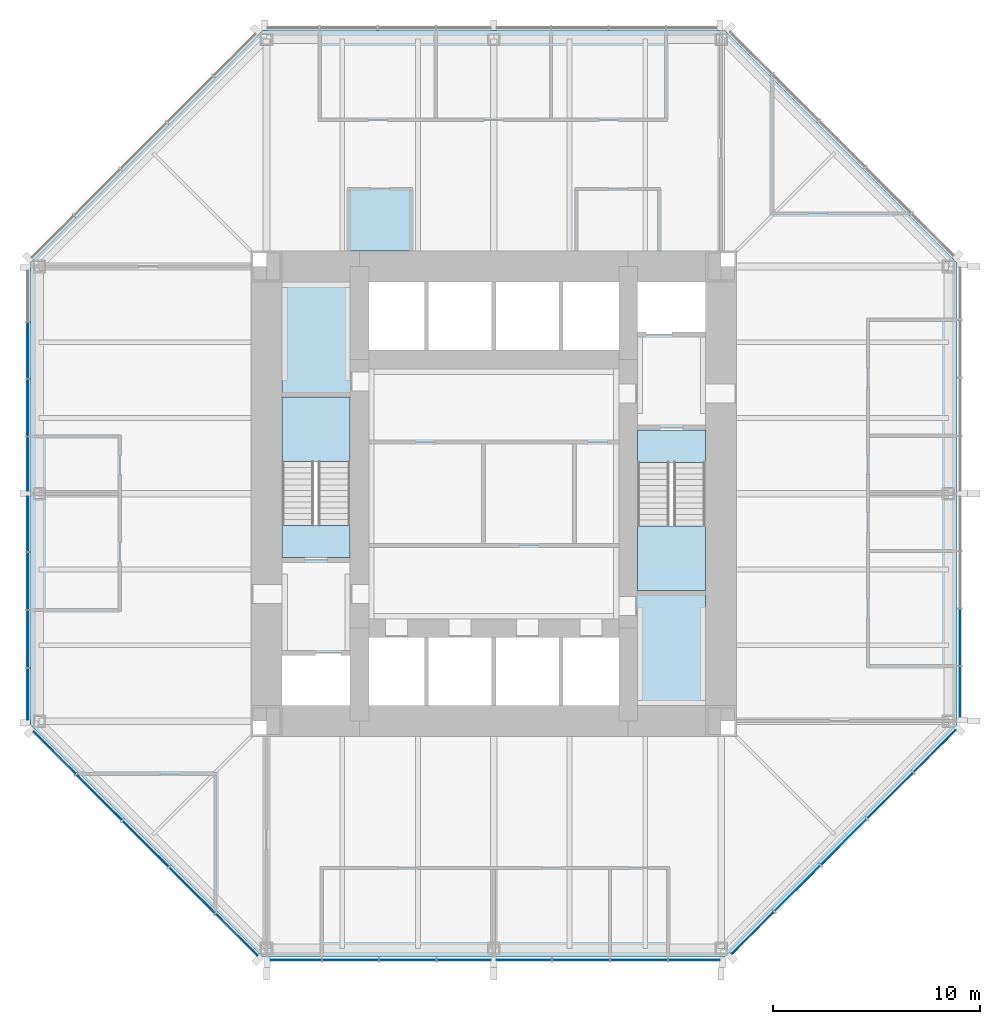
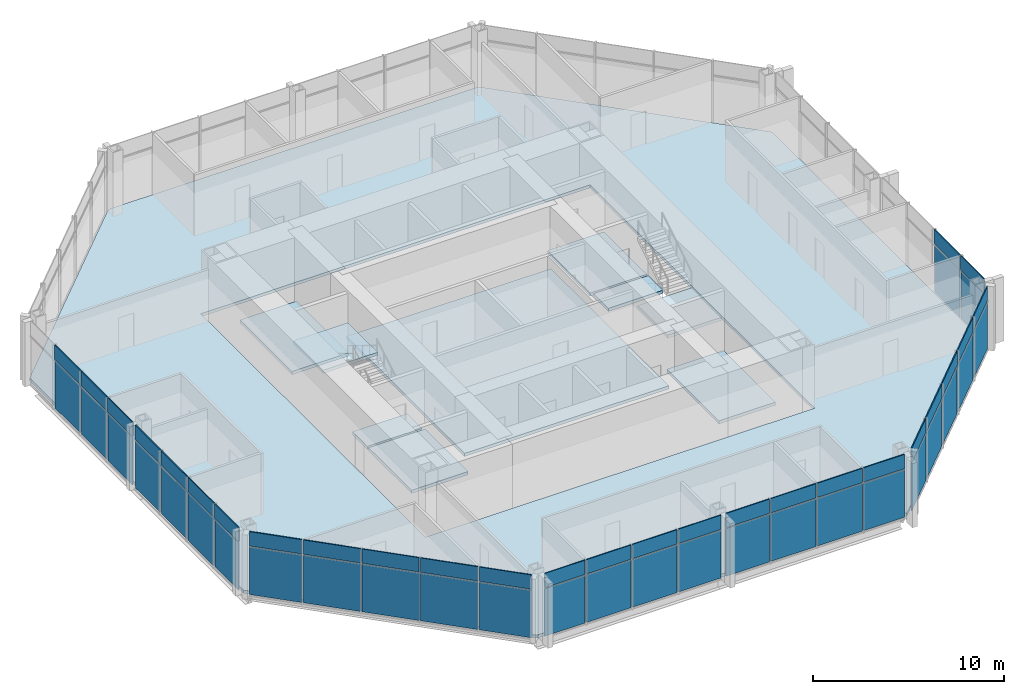
# One storey, part 7 of 12: 54 plates, 10 slabs, 7 elements without a shape of their own.
"""IFC4 building model written with IfcOpenShell, lengths in metres."""

from ifc_helpers import new_model, si_unit, direction, frame, origin, origin_2d, place, context, subcontext, project, spatial, polyline, rectangle, outline, extrude, material, layer, layer_set, type_object, element, aggregate, save


model = new_model("IFC4")

# Units and contexts
model_context = context("Model", 3, precision=1e-05, world=origin(), true_north=direction((0.0, 1.0)))
body_context = subcontext(model_context, "Body", "Model", "MODEL_VIEW")
ifc_project = project(units=[si_unit("LENGTHUNIT", "METRE"), si_unit("AREAUNIT", "SQUARE_METRE"), si_unit("VOLUMEUNIT", "CUBIC_METRE"), si_unit("PLANEANGLEUNIT", "RADIAN"), si_unit("MASSUNIT", "GRAM", prefix="KILO")], contexts=[model_context])

# Site, building, storey
site_placement = place(None, origin())
site = spatial("IfcSite", under=ifc_project, at=site_placement, CompositionType="ELEMENT")
building_placement = place(site_placement, origin())
building = spatial("IfcBuilding", under=site, at=building_placement, Name="Trevanion Tower", CompositionType="ELEMENT")
storey_placement = place(building_placement, frame((0.0, 0.0, 154.10009765625)))
storey = spatial("IfcBuildingStorey", under=building, at=storey_placement, Name="L36", CompositionType="ELEMENT", Elevation=154.10009765625)

# Curtain wall, plates
ifc_material_1 = material(Name="Aluminium and glass", Category="aluminium")
curtain_wall_type = type_object("IfcCurtainWallType", Name="CW2 curtain wall", PredefinedType="USERDEFINED", material=ifc_material_1)
curtain_wall_1_placement = place(storey_placement, origin())
curtain_wall_1 = element("IfcCurtainWall", 1, at=curtain_wall_1_placement, inside=storey, type_object=curtain_wall_type, Name="CW2 L36 0", ObjectType="UNITISED CURTAIN WALL", PredefinedType="USERDEFINED")
ifc_material_2 = material(Name="Aluminium spandrel panel", Category="aluminium")
ifc_layer_1 = layer(ifc_material_2, 0.06005859375)
ifc_layer_set_1 = layer_set([ifc_layer_1], Name="CW2 spandrel panel")
plate_type_1 = type_object("IfcPlateType", Name="CW2 spandrel panel", PredefinedType="CURTAIN_PANEL", material=ifc_layer_set_1)
plate_1_placement = place(storey_placement, frame((22.550048828125, -9.579345703125, 2.997314453125), z_axis=(0.0, 0.0, 1.0), x_axis=(0.0, 1.0, 0.0)))
plate_1 = element("IfcPlate", 2, at=plate_1_placement, type_object=plate_type_1, Name="CW2 panel 1.2", PredefinedType="CURTAIN_PANEL", context=body_context, shape_type="SweptSolid", body=[
    extrude(rectangle(XDim=2.43701171875, YDim=0.06005859375, at=origin_2d()), origin(), (0.0, 0.0, 1.0), 0.91259765625),
])
plate_2_placement = place(storey_placement, frame((22.550048828125, -6.93603515625, 2.997314453125), z_axis=(0.0, 0.0, 1.0), x_axis=(0.0, 1.0, 0.0)))
plate_2 = element("IfcPlate", 3, at=plate_2_placement, type_object=plate_type_1, Name="CW2 panel 2.2", PredefinedType="CURTAIN_PANEL", context=body_context, shape_type="SweptSolid", body=[
    extrude(rectangle(XDim=2.699462890625, YDim=0.06005859375, at=origin_2d()), origin(), (0.0, 0.0, 1.0), 0.91259765625),
])

curtain_wall_2_placement = place(storey_placement, origin())
curtain_wall_2 = element("IfcCurtainWall", 4, at=curtain_wall_2_placement, inside=storey, type_object=curtain_wall_type, Name="CW2 L36 4", ObjectType="UNITISED CURTAIN WALL", PredefinedType="USERDEFINED")
plate_3_placement = place(storey_placement, frame((-22.550048828125, 6.93603515625, 2.997314453125), z_axis=(0.0, 0.0, 1.0), x_axis=(0.0, -1.0, 0.0)))
plate_3 = element("IfcPlate", 5, at=plate_3_placement, type_object=plate_type_1, Name="CW2 panel 2.2", PredefinedType="CURTAIN_PANEL", context=body_context, shape_type="SweptSolid", body=[
    extrude(rectangle(XDim=2.699462890625, YDim=0.06005859375, at=origin_2d()), origin(), (0.0, 0.0, 1.0), 0.91259765625),
])
plate_4_placement = place(storey_placement, frame((-22.550048828125, 4.16162109375, 2.997314453125), z_axis=(0.0, 0.0, 1.0), x_axis=(0.0, -1.0, 0.0)))
plate_4 = element("IfcPlate", 6, at=plate_4_placement, type_object=plate_type_1, Name="CW2 panel 3.2", PredefinedType="CURTAIN_PANEL", context=body_context, shape_type="SweptSolid", body=[
    extrude(rectangle(XDim=2.699462890625, YDim=0.06005859375, at=origin_2d()), origin(), (0.0, 0.0, 1.0), 0.91259765625),
])
plate_5_placement = place(storey_placement, frame((-22.550048828125, 1.443603515625, 2.997314453125), z_axis=(0.0, 0.0, 1.0), x_axis=(0.0, -1.0, 0.0)))
plate_5 = element("IfcPlate", 7, at=plate_5_placement, type_object=plate_type_1, Name="CW2 panel 4.2", PredefinedType="CURTAIN_PANEL", context=body_context, shape_type="SweptSolid", body=[
    extrude(rectangle(XDim=2.5869140625, YDim=0.06005859375, at=origin_2d()), origin(), (0.0, 0.0, 1.0), 0.91259765625),
])
plate_6_placement = place(storey_placement, frame((-22.550048828125, -1.459716796875, 2.997314453125), z_axis=(0.0, 0.0, 1.0), x_axis=(0.0, -1.0, 0.0)))
plate_6 = element("IfcPlate", 8, at=plate_6_placement, type_object=plate_type_1, Name="CW2 panel 5.2", PredefinedType="CURTAIN_PANEL", context=body_context, shape_type="SweptSolid", body=[
    extrude(rectangle(XDim=2.619384765625, YDim=0.06005859375, at=origin_2d()), origin(), (0.0, 0.0, 1.0), 0.91259765625),
])
plate_7_placement = place(storey_placement, frame((-22.550048828125, -4.21044921875, 2.997314453125), z_axis=(0.0, 0.0, 1.0), x_axis=(0.0, -1.0, 0.0)))
plate_7 = element("IfcPlate", 9, at=plate_7_placement, type_object=plate_type_1, Name="CW2 panel 6.2", PredefinedType="CURTAIN_PANEL", context=body_context, shape_type="SweptSolid", body=[
    extrude(rectangle(XDim=2.73193359375, YDim=0.06005859375, at=origin_2d()), origin(), (0.0, 0.0, 1.0), 0.91259765625),
])
plate_8_placement = place(storey_placement, frame((-22.550048828125, -7.017333984375, 2.997314453125), z_axis=(0.0, 0.0, 1.0), x_axis=(0.0, -1.0, 0.0)))
plate_8 = element("IfcPlate", 10, at=plate_8_placement, type_object=plate_type_1, Name="CW2 panel 7.2", PredefinedType="CURTAIN_PANEL", context=body_context, shape_type="SweptSolid", body=[
    extrude(rectangle(XDim=2.73193359375, YDim=0.06005859375, at=origin_2d()), origin(), (0.0, 0.0, 1.0), 0.91259765625),
])
plate_9_placement = place(storey_placement, frame((-22.550048828125, -9.693115234375, 2.997314453125), z_axis=(0.0, 0.0, 1.0), x_axis=(0.0, -1.0, 0.0)))
plate_9 = element("IfcPlate", 11, at=plate_9_placement, type_object=plate_type_1, Name="CW2 panel 8.2", PredefinedType="CURTAIN_PANEL", context=body_context, shape_type="SweptSolid", body=[
    extrude(rectangle(XDim=2.469482421875, YDim=0.06005859375, at=origin_2d()), origin(), (0.0, 0.0, 1.0), 0.91259765625),
])

curtain_wall_3_placement = place(storey_placement, origin())
curtain_wall_3 = element("IfcCurtainWall", 12, at=curtain_wall_3_placement, inside=storey, type_object=curtain_wall_type, Name="CW2 L36 5", ObjectType="UNITISED CURTAIN WALL", PredefinedType="USERDEFINED")
plate_10_placement = place(storey_placement, frame((-21.2421875, -12.53564453125, 2.997314453125), z_axis=(0.0, 0.0, 1.0), x_axis=(0.707106781187, -0.707106781187, 0.0)))
plate_10 = element("IfcPlate", 13, at=plate_10_placement, type_object=plate_type_1, Name="CW2 panel 1.2", PredefinedType="CURTAIN_PANEL", context=body_context, shape_type="SweptSolid", body=[
    extrude(rectangle(XDim=2.8388671875, YDim=0.06005859375, at=origin_2d()), origin(), (0.0, 0.0, 1.0), 0.91259765625),
])
plate_11_placement = place(storey_placement, frame((-19.089111328125, -14.688720703125, 2.997314453125), z_axis=(0.0, 0.0, 1.0), x_axis=(0.707106781187, -0.707106781187, 0.0)))
plate_11 = element("IfcPlate", 14, at=plate_11_placement, type_object=plate_type_1, Name="CW2 panel 2.2", PredefinedType="CURTAIN_PANEL", context=body_context, shape_type="SweptSolid", body=[
    extrude(rectangle(XDim=3.101318359375, YDim=0.06005859375, at=origin_2d()), origin(), (0.0, 0.0, 1.0), 0.91259765625),
])
plate_12_placement = place(storey_placement, frame((-16.843017578125, -16.934814453125, 2.997314453125), z_axis=(0.0, 0.0, 1.0), x_axis=(0.707106781187, -0.707106781187, 0.0)))
plate_12 = element("IfcPlate", 15, at=plate_12_placement, type_object=plate_type_1, Name="CW2 panel 3.2", PredefinedType="CURTAIN_PANEL", context=body_context, shape_type="SweptSolid", body=[
    extrude(rectangle(XDim=3.101318359375, YDim=0.06005859375, at=origin_2d()), origin(), (0.0, 0.0, 1.0), 0.91259765625),
])
plate_13_placement = place(storey_placement, frame((-14.596923828125, -19.180908203125, 2.997314453125), z_axis=(0.0, 0.0, 1.0), x_axis=(0.707106781187, -0.707106781187, 0.0)))
plate_13 = element("IfcPlate", 16, at=plate_13_placement, type_object=plate_type_1, Name="CW2 panel 4.2", PredefinedType="CURTAIN_PANEL", context=body_context, shape_type="SweptSolid", body=[
    extrude(rectangle(XDim=3.101318359375, YDim=0.06005859375, at=origin_2d()), origin(), (0.0, 0.0, 1.0), 0.91259765625),
])
plate_14_placement = place(storey_placement, frame((-12.443603515625, -21.334228515625, 2.997314453125), z_axis=(0.0, 0.0, 1.0), x_axis=(0.707106781187, -0.707106781187, 0.0)))
plate_14 = element("IfcPlate", 17, at=plate_14_placement, type_object=plate_type_1, Name="CW2 panel 5.2", PredefinedType="CURTAIN_PANEL", context=body_context, shape_type="SweptSolid", body=[
    extrude(rectangle(XDim=2.8388671875, YDim=0.06005859375, at=origin_2d()), origin(), (0.0, 0.0, 1.0), 0.91259765625),
])

curtain_wall_4_placement = place(storey_placement, origin())
curtain_wall_4 = element("IfcCurtainWall", 18, at=curtain_wall_4_placement, inside=storey, type_object=curtain_wall_type, Name="CW2 L36 6", ObjectType="UNITISED CURTAIN WALL", PredefinedType="USERDEFINED")
plate_15_placement = place(storey_placement, frame((-9.579345703125, -22.550048828125, 2.997314453125), z_axis=(0.0, 0.0, 1.0), x_axis=(1.0, 0.0, 0.0)))
plate_15 = element("IfcPlate", 19, at=plate_15_placement, type_object=plate_type_1, Name="CW2 panel 1.2", PredefinedType="CURTAIN_PANEL", context=body_context, shape_type="SweptSolid", body=[
    extrude(rectangle(XDim=2.43701171875, YDim=0.06005859375, at=origin_2d()), origin(), (0.0, 0.0, 1.0), 0.91259765625),
])
plate_16_placement = place(storey_placement, frame((-6.93603515625, -22.550048828125, 2.997314453125), z_axis=(0.0, 0.0, 1.0), x_axis=(1.0, 0.0, 0.0)))
plate_16 = element("IfcPlate", 20, at=plate_16_placement, type_object=plate_type_1, Name="CW2 panel 2.2", PredefinedType="CURTAIN_PANEL", context=body_context, shape_type="SweptSolid", body=[
    extrude(rectangle(XDim=2.699462890625, YDim=0.06005859375, at=origin_2d()), origin(), (0.0, 0.0, 1.0), 0.91259765625),
])
plate_17_placement = place(storey_placement, frame((-4.16162109375, -22.550048828125, 2.997314453125), z_axis=(0.0, 0.0, 1.0), x_axis=(1.0, 0.0, 0.0)))
plate_17 = element("IfcPlate", 21, at=plate_17_placement, type_object=plate_type_1, Name="CW2 panel 3.2", PredefinedType="CURTAIN_PANEL", context=body_context, shape_type="SweptSolid", body=[
    extrude(rectangle(XDim=2.699462890625, YDim=0.06005859375, at=origin_2d()), origin(), (0.0, 0.0, 1.0), 0.91259765625),
])
plate_18_placement = place(storey_placement, frame((-1.443603515625, -22.550048828125, 2.997314453125), z_axis=(0.0, 0.0, 1.0), x_axis=(1.0, 0.0, 0.0)))
plate_18 = element("IfcPlate", 22, at=plate_18_placement, type_object=plate_type_1, Name="CW2 panel 4.2", PredefinedType="CURTAIN_PANEL", context=body_context, shape_type="SweptSolid", body=[
    extrude(rectangle(XDim=2.5869140625, YDim=0.06005859375, at=origin_2d()), origin(), (0.0, 0.0, 1.0), 0.91259765625),
])
plate_19_placement = place(storey_placement, frame((1.459716796875, -22.550048828125, 2.997314453125), z_axis=(0.0, 0.0, 1.0), x_axis=(1.0, 0.0, 0.0)))
plate_19 = element("IfcPlate", 23, at=plate_19_placement, type_object=plate_type_1, Name="CW2 panel 5.2", PredefinedType="CURTAIN_PANEL", context=body_context, shape_type="SweptSolid", body=[
    extrude(rectangle(XDim=2.619384765625, YDim=0.06005859375, at=origin_2d()), origin(), (0.0, 0.0, 1.0), 0.91259765625),
])
plate_20_placement = place(storey_placement, frame((4.21044921875, -22.550048828125, 2.997314453125), z_axis=(0.0, 0.0, 1.0), x_axis=(1.0, 0.0, 0.0)))
plate_20 = element("IfcPlate", 24, at=plate_20_placement, type_object=plate_type_1, Name="CW2 panel 6.2", PredefinedType="CURTAIN_PANEL", context=body_context, shape_type="SweptSolid", body=[
    extrude(rectangle(XDim=2.73193359375, YDim=0.06005859375, at=origin_2d()), origin(), (0.0, 0.0, 1.0), 0.91259765625),
])
plate_21_placement = place(storey_placement, frame((7.017333984375, -22.550048828125, 2.997314453125), z_axis=(0.0, 0.0, 1.0), x_axis=(1.0, 0.0, 0.0)))
plate_21 = element("IfcPlate", 25, at=plate_21_placement, type_object=plate_type_1, Name="CW2 panel 7.2", PredefinedType="CURTAIN_PANEL", context=body_context, shape_type="SweptSolid", body=[
    extrude(rectangle(XDim=2.73193359375, YDim=0.06005859375, at=origin_2d()), origin(), (0.0, 0.0, 1.0), 0.91259765625),
])
plate_22_placement = place(storey_placement, frame((9.693115234375, -22.550048828125, 2.997314453125), z_axis=(0.0, 0.0, 1.0), x_axis=(1.0, 0.0, 0.0)))
plate_22 = element("IfcPlate", 26, at=plate_22_placement, type_object=plate_type_1, Name="CW2 panel 8.2", PredefinedType="CURTAIN_PANEL", context=body_context, shape_type="SweptSolid", body=[
    extrude(rectangle(XDim=2.469482421875, YDim=0.06005859375, at=origin_2d()), origin(), (0.0, 0.0, 1.0), 0.91259765625),
])

curtain_wall_5_placement = place(storey_placement, origin())
curtain_wall_5 = element("IfcCurtainWall", 27, at=curtain_wall_5_placement, inside=storey, type_object=curtain_wall_type, Name="CW2 L36 7", ObjectType="UNITISED CURTAIN WALL", PredefinedType="USERDEFINED")
plate_23_placement = place(storey_placement, frame((12.53564453125, -21.2421875, 2.997314453125), z_axis=(0.0, 0.0, 1.0), x_axis=(0.707106781187, 0.707106781187, 0.0)))
plate_23 = element("IfcPlate", 28, at=plate_23_placement, type_object=plate_type_1, Name="CW2 panel 1.2", PredefinedType="CURTAIN_PANEL", context=body_context, shape_type="SweptSolid", body=[
    extrude(rectangle(XDim=2.8388671875, YDim=0.06005859375, at=origin_2d()), origin(), (0.0, 0.0, 1.0), 0.91259765625),
])
plate_24_placement = place(storey_placement, frame((14.688720703125, -19.089111328125, 2.997314453125), z_axis=(0.0, 0.0, 1.0), x_axis=(0.707106781187, 0.707106781187, 0.0)))
plate_24 = element("IfcPlate", 29, at=plate_24_placement, type_object=plate_type_1, Name="CW2 panel 2.2", PredefinedType="CURTAIN_PANEL", context=body_context, shape_type="SweptSolid", body=[
    extrude(rectangle(XDim=3.101318359375, YDim=0.06005859375, at=origin_2d()), origin(), (0.0, 0.0, 1.0), 0.91259765625),
])
plate_25_placement = place(storey_placement, frame((16.934814453125, -16.843017578125, 2.997314453125), z_axis=(0.0, 0.0, 1.0), x_axis=(0.707106781187, 0.707106781187, 0.0)))
plate_25 = element("IfcPlate", 30, at=plate_25_placement, type_object=plate_type_1, Name="CW2 panel 3.2", PredefinedType="CURTAIN_PANEL", context=body_context, shape_type="SweptSolid", body=[
    extrude(rectangle(XDim=3.101318359375, YDim=0.06005859375, at=origin_2d()), origin(), (0.0, 0.0, 1.0), 0.91259765625),
])
plate_26_placement = place(storey_placement, frame((19.180908203125, -14.596923828125, 2.997314453125), z_axis=(0.0, 0.0, 1.0), x_axis=(0.707106781187, 0.707106781187, 0.0)))
plate_26 = element("IfcPlate", 31, at=plate_26_placement, type_object=plate_type_1, Name="CW2 panel 4.2", PredefinedType="CURTAIN_PANEL", context=body_context, shape_type="SweptSolid", body=[
    extrude(rectangle(XDim=3.101318359375, YDim=0.06005859375, at=origin_2d()), origin(), (0.0, 0.0, 1.0), 0.91259765625),
])
plate_27_placement = place(storey_placement, frame((21.334228515625, -12.443603515625, 2.997314453125), z_axis=(0.0, 0.0, 1.0), x_axis=(0.707106781187, 0.707106781187, 0.0)))
plate_27 = element("IfcPlate", 32, at=plate_27_placement, type_object=plate_type_1, Name="CW2 panel 5.2", PredefinedType="CURTAIN_PANEL", context=body_context, shape_type="SweptSolid", body=[
    extrude(rectangle(XDim=2.8388671875, YDim=0.06005859375, at=origin_2d()), origin(), (0.0, 0.0, 1.0), 0.91259765625),
])

# Plate
ifc_material_3 = material(Name="Insulating glass unit", Category="glass")
ifc_layer_2 = layer(ifc_material_3, 0.028076171875)
ifc_layer_set_2 = layer_set([ifc_layer_2], Name="CW2 vision panel")
plate_type_2 = type_object("IfcPlateType", Name="CW2 vision panel", PredefinedType="CURTAIN_PANEL", material=ifc_layer_set_2)
plate_28_placement = place(storey_placement, frame((22.550048828125, -9.579345703125, -0.115234375), z_axis=(0.0, 0.0, 1.0), x_axis=(0.0, 1.0, 0.0)))
plate_28 = element("IfcPlate", 33, at=plate_28_placement, type_object=plate_type_2, Name="CW2 panel 1.1", PredefinedType="CURTAIN_PANEL", context=body_context, shape_type="SweptSolid", body=[
    extrude(rectangle(XDim=2.43701171875, YDim=0.028076171875, at=origin_2d()), origin(), (0.0, 0.0, 1.0), 3.03759765625),
])

plate_29_placement = place(storey_placement, frame((22.550048828125, -6.93603515625, -0.115234375), z_axis=(0.0, 0.0, 1.0), x_axis=(0.0, 1.0, 0.0)))
plate_29 = element("IfcPlate", 34, at=plate_29_placement, type_object=plate_type_2, Name="CW2 panel 2.1", PredefinedType="CURTAIN_PANEL", context=body_context, shape_type="SweptSolid", body=[
    extrude(rectangle(XDim=2.699462890625, YDim=0.028076171875, at=origin_2d()), origin(), (0.0, 0.0, 1.0), 3.03759765625),
])

aggregate(curtain_wall_1, [plate_28, plate_1, plate_29, plate_2])

plate_30_placement = place(storey_placement, frame((-22.550048828125, 6.93603515625, -0.115234375), z_axis=(0.0, 0.0, 1.0), x_axis=(0.0, -1.0, 0.0)))
plate_30 = element("IfcPlate", 35, at=plate_30_placement, type_object=plate_type_2, Name="CW2 panel 2.1", PredefinedType="CURTAIN_PANEL", context=body_context, shape_type="SweptSolid", body=[
    extrude(rectangle(XDim=2.699462890625, YDim=0.028076171875, at=origin_2d()), origin(), (0.0, 0.0, 1.0), 3.03759765625),
])

plate_31_placement = place(storey_placement, frame((-22.550048828125, 4.16162109375, -0.115234375), z_axis=(0.0, 0.0, 1.0), x_axis=(0.0, -1.0, 0.0)))
plate_31 = element("IfcPlate", 36, at=plate_31_placement, type_object=plate_type_2, Name="CW2 panel 3.1", PredefinedType="CURTAIN_PANEL", context=body_context, shape_type="SweptSolid", body=[
    extrude(rectangle(XDim=2.699462890625, YDim=0.028076171875, at=origin_2d()), origin(), (0.0, 0.0, 1.0), 3.03759765625),
])

plate_32_placement = place(storey_placement, frame((-22.550048828125, 1.443603515625, -0.115234375), z_axis=(0.0, 0.0, 1.0), x_axis=(0.0, -1.0, 0.0)))
plate_32 = element("IfcPlate", 37, at=plate_32_placement, type_object=plate_type_2, Name="CW2 panel 4.1", PredefinedType="CURTAIN_PANEL", context=body_context, shape_type="SweptSolid", body=[
    extrude(rectangle(XDim=2.5869140625, YDim=0.028076171875, at=origin_2d()), origin(), (0.0, 0.0, 1.0), 3.03759765625),
])

plate_33_placement = place(storey_placement, frame((-22.550048828125, -1.459716796875, -0.115234375), z_axis=(0.0, 0.0, 1.0), x_axis=(0.0, -1.0, 0.0)))
plate_33 = element("IfcPlate", 38, at=plate_33_placement, type_object=plate_type_2, Name="CW2 panel 5.1", PredefinedType="CURTAIN_PANEL", context=body_context, shape_type="SweptSolid", body=[
    extrude(rectangle(XDim=2.619384765625, YDim=0.028076171875, at=origin_2d()), origin(), (0.0, 0.0, 1.0), 3.03759765625),
])

plate_34_placement = place(storey_placement, frame((-22.550048828125, -4.21044921875, -0.115234375), z_axis=(0.0, 0.0, 1.0), x_axis=(0.0, -1.0, 0.0)))
plate_34 = element("IfcPlate", 39, at=plate_34_placement, type_object=plate_type_2, Name="CW2 panel 6.1", PredefinedType="CURTAIN_PANEL", context=body_context, shape_type="SweptSolid", body=[
    extrude(rectangle(XDim=2.73193359375, YDim=0.028076171875, at=origin_2d()), origin(), (0.0, 0.0, 1.0), 3.03759765625),
])

plate_35_placement = place(storey_placement, frame((-22.550048828125, -7.017333984375, -0.115234375), z_axis=(0.0, 0.0, 1.0), x_axis=(0.0, -1.0, 0.0)))
plate_35 = element("IfcPlate", 40, at=plate_35_placement, type_object=plate_type_2, Name="CW2 panel 7.1", PredefinedType="CURTAIN_PANEL", context=body_context, shape_type="SweptSolid", body=[
    extrude(rectangle(XDim=2.73193359375, YDim=0.028076171875, at=origin_2d()), origin(), (0.0, 0.0, 1.0), 3.03759765625),
])

plate_36_placement = place(storey_placement, frame((-22.550048828125, -9.693115234375, -0.115234375), z_axis=(0.0, 0.0, 1.0), x_axis=(0.0, -1.0, 0.0)))
plate_36 = element("IfcPlate", 41, at=plate_36_placement, type_object=plate_type_2, Name="CW2 panel 8.1", PredefinedType="CURTAIN_PANEL", context=body_context, shape_type="SweptSolid", body=[
    extrude(rectangle(XDim=2.469482421875, YDim=0.028076171875, at=origin_2d()), origin(), (0.0, 0.0, 1.0), 3.03759765625),
])

aggregate(curtain_wall_2, [plate_30, plate_3, plate_31, plate_4, plate_32, plate_5, plate_33, plate_6, plate_34, plate_7, plate_35, plate_8, plate_36, plate_9])

plate_37_placement = place(storey_placement, frame((-21.2421875, -12.53564453125, -0.115234375), z_axis=(0.0, 0.0, 1.0), x_axis=(0.707106781187, -0.707106781187, 0.0)))
plate_37 = element("IfcPlate", 42, at=plate_37_placement, type_object=plate_type_2, Name="CW2 panel 1.1", PredefinedType="CURTAIN_PANEL", context=body_context, shape_type="SweptSolid", body=[
    extrude(rectangle(XDim=2.8388671875, YDim=0.028076171875, at=origin_2d()), origin(), (0.0, 0.0, 1.0), 3.03759765625),
])

plate_38_placement = place(storey_placement, frame((-19.089111328125, -14.688720703125, -0.115234375), z_axis=(0.0, 0.0, 1.0), x_axis=(0.707106781187, -0.707106781187, 0.0)))
plate_38 = element("IfcPlate", 43, at=plate_38_placement, type_object=plate_type_2, Name="CW2 panel 2.1", PredefinedType="CURTAIN_PANEL", context=body_context, shape_type="SweptSolid", body=[
    extrude(rectangle(XDim=3.101318359375, YDim=0.028076171875, at=origin_2d()), origin(), (0.0, 0.0, 1.0), 3.03759765625),
])

plate_39_placement = place(storey_placement, frame((-16.843017578125, -16.934814453125, -0.115234375), z_axis=(0.0, 0.0, 1.0), x_axis=(0.707106781187, -0.707106781187, 0.0)))
plate_39 = element("IfcPlate", 44, at=plate_39_placement, type_object=plate_type_2, Name="CW2 panel 3.1", PredefinedType="CURTAIN_PANEL", context=body_context, shape_type="SweptSolid", body=[
    extrude(rectangle(XDim=3.101318359375, YDim=0.028076171875, at=origin_2d()), origin(), (0.0, 0.0, 1.0), 3.03759765625),
])

plate_40_placement = place(storey_placement, frame((-14.596923828125, -19.180908203125, -0.115234375), z_axis=(0.0, 0.0, 1.0), x_axis=(0.707106781187, -0.707106781187, 0.0)))
plate_40 = element("IfcPlate", 45, at=plate_40_placement, type_object=plate_type_2, Name="CW2 panel 4.1", PredefinedType="CURTAIN_PANEL", context=body_context, shape_type="SweptSolid", body=[
    extrude(rectangle(XDim=3.101318359375, YDim=0.028076171875, at=origin_2d()), origin(), (0.0, 0.0, 1.0), 3.03759765625),
])

plate_41_placement = place(storey_placement, frame((-12.443603515625, -21.334228515625, -0.115234375), z_axis=(0.0, 0.0, 1.0), x_axis=(0.707106781187, -0.707106781187, 0.0)))
plate_41 = element("IfcPlate", 46, at=plate_41_placement, type_object=plate_type_2, Name="CW2 panel 5.1", PredefinedType="CURTAIN_PANEL", context=body_context, shape_type="SweptSolid", body=[
    extrude(rectangle(XDim=2.8388671875, YDim=0.028076171875, at=origin_2d()), origin(), (0.0, 0.0, 1.0), 3.03759765625),
])

aggregate(curtain_wall_3, [plate_37, plate_10, plate_38, plate_11, plate_39, plate_12, plate_40, plate_13, plate_41, plate_14])

plate_42_placement = place(storey_placement, frame((-9.579345703125, -22.550048828125, -0.115234375), z_axis=(0.0, 0.0, 1.0), x_axis=(1.0, 0.0, 0.0)))
plate_42 = element("IfcPlate", 47, at=plate_42_placement, type_object=plate_type_2, Name="CW2 panel 1.1", PredefinedType="CURTAIN_PANEL", context=body_context, shape_type="SweptSolid", body=[
    extrude(rectangle(XDim=2.43701171875, YDim=0.028076171875, at=origin_2d()), origin(), (0.0, 0.0, 1.0), 3.03759765625),
])

plate_43_placement = place(storey_placement, frame((-6.93603515625, -22.550048828125, -0.115234375), z_axis=(0.0, 0.0, 1.0), x_axis=(1.0, 0.0, 0.0)))
plate_43 = element("IfcPlate", 48, at=plate_43_placement, type_object=plate_type_2, Name="CW2 panel 2.1", PredefinedType="CURTAIN_PANEL", context=body_context, shape_type="SweptSolid", body=[
    extrude(rectangle(XDim=2.699462890625, YDim=0.028076171875, at=origin_2d()), origin(), (0.0, 0.0, 1.0), 3.03759765625),
])

plate_44_placement = place(storey_placement, frame((-4.16162109375, -22.550048828125, -0.115234375), z_axis=(0.0, 0.0, 1.0), x_axis=(1.0, 0.0, 0.0)))
plate_44 = element("IfcPlate", 49, at=plate_44_placement, type_object=plate_type_2, Name="CW2 panel 3.1", PredefinedType="CURTAIN_PANEL", context=body_context, shape_type="SweptSolid", body=[
    extrude(rectangle(XDim=2.699462890625, YDim=0.028076171875, at=origin_2d()), origin(), (0.0, 0.0, 1.0), 3.03759765625),
])

plate_45_placement = place(storey_placement, frame((-1.443603515625, -22.550048828125, -0.115234375), z_axis=(0.0, 0.0, 1.0), x_axis=(1.0, 0.0, 0.0)))
plate_45 = element("IfcPlate", 50, at=plate_45_placement, type_object=plate_type_2, Name="CW2 panel 4.1", PredefinedType="CURTAIN_PANEL", context=body_context, shape_type="SweptSolid", body=[
    extrude(rectangle(XDim=2.5869140625, YDim=0.028076171875, at=origin_2d()), origin(), (0.0, 0.0, 1.0), 3.03759765625),
])

plate_46_placement = place(storey_placement, frame((1.459716796875, -22.550048828125, -0.115234375), z_axis=(0.0, 0.0, 1.0), x_axis=(1.0, 0.0, 0.0)))
plate_46 = element("IfcPlate", 51, at=plate_46_placement, type_object=plate_type_2, Name="CW2 panel 5.1", PredefinedType="CURTAIN_PANEL", context=body_context, shape_type="SweptSolid", body=[
    extrude(rectangle(XDim=2.619384765625, YDim=0.028076171875, at=origin_2d()), origin(), (0.0, 0.0, 1.0), 3.03759765625),
])

plate_47_placement = place(storey_placement, frame((4.21044921875, -22.550048828125, -0.115234375), z_axis=(0.0, 0.0, 1.0), x_axis=(1.0, 0.0, 0.0)))
plate_47 = element("IfcPlate", 52, at=plate_47_placement, type_object=plate_type_2, Name="CW2 panel 6.1", PredefinedType="CURTAIN_PANEL", context=body_context, shape_type="SweptSolid", body=[
    extrude(rectangle(XDim=2.73193359375, YDim=0.028076171875, at=origin_2d()), origin(), (0.0, 0.0, 1.0), 3.03759765625),
])

plate_48_placement = place(storey_placement, frame((7.017333984375, -22.550048828125, -0.115234375), z_axis=(0.0, 0.0, 1.0), x_axis=(1.0, 0.0, 0.0)))
plate_48 = element("IfcPlate", 53, at=plate_48_placement, type_object=plate_type_2, Name="CW2 panel 7.1", PredefinedType="CURTAIN_PANEL", context=body_context, shape_type="SweptSolid", body=[
    extrude(rectangle(XDim=2.73193359375, YDim=0.028076171875, at=origin_2d()), origin(), (0.0, 0.0, 1.0), 3.03759765625),
])

plate_49_placement = place(storey_placement, frame((9.693115234375, -22.550048828125, -0.115234375), z_axis=(0.0, 0.0, 1.0), x_axis=(1.0, 0.0, 0.0)))
plate_49 = element("IfcPlate", 54, at=plate_49_placement, type_object=plate_type_2, Name="CW2 panel 8.1", PredefinedType="CURTAIN_PANEL", context=body_context, shape_type="SweptSolid", body=[
    extrude(rectangle(XDim=2.469482421875, YDim=0.028076171875, at=origin_2d()), origin(), (0.0, 0.0, 1.0), 3.03759765625),
])

aggregate(curtain_wall_4, [plate_42, plate_15, plate_43, plate_16, plate_44, plate_17, plate_45, plate_18, plate_46, plate_19, plate_47, plate_20, plate_48, plate_21, plate_49, plate_22])

plate_50_placement = place(storey_placement, frame((12.53564453125, -21.2421875, -0.115234375), z_axis=(0.0, 0.0, 1.0), x_axis=(0.707106781187, 0.707106781187, 0.0)))
plate_50 = element("IfcPlate", 55, at=plate_50_placement, type_object=plate_type_2, Name="CW2 panel 1.1", PredefinedType="CURTAIN_PANEL", context=body_context, shape_type="SweptSolid", body=[
    extrude(rectangle(XDim=2.8388671875, YDim=0.028076171875, at=origin_2d()), origin(), (0.0, 0.0, 1.0), 3.03759765625),
])

plate_51_placement = place(storey_placement, frame((14.688720703125, -19.089111328125, -0.115234375), z_axis=(0.0, 0.0, 1.0), x_axis=(0.707106781187, 0.707106781187, 0.0)))
plate_51 = element("IfcPlate", 56, at=plate_51_placement, type_object=plate_type_2, Name="CW2 panel 2.1", PredefinedType="CURTAIN_PANEL", context=body_context, shape_type="SweptSolid", body=[
    extrude(rectangle(XDim=3.101318359375, YDim=0.028076171875, at=origin_2d()), origin(), (0.0, 0.0, 1.0), 3.03759765625),
])

plate_52_placement = place(storey_placement, frame((16.934814453125, -16.843017578125, -0.115234375), z_axis=(0.0, 0.0, 1.0), x_axis=(0.707106781187, 0.707106781187, 0.0)))
plate_52 = element("IfcPlate", 57, at=plate_52_placement, type_object=plate_type_2, Name="CW2 panel 3.1", PredefinedType="CURTAIN_PANEL", context=body_context, shape_type="SweptSolid", body=[
    extrude(rectangle(XDim=3.101318359375, YDim=0.028076171875, at=origin_2d()), origin(), (0.0, 0.0, 1.0), 3.03759765625),
])

plate_53_placement = place(storey_placement, frame((19.180908203125, -14.596923828125, -0.115234375), z_axis=(0.0, 0.0, 1.0), x_axis=(0.707106781187, 0.707106781187, 0.0)))
plate_53 = element("IfcPlate", 58, at=plate_53_placement, type_object=plate_type_2, Name="CW2 panel 4.1", PredefinedType="CURTAIN_PANEL", context=body_context, shape_type="SweptSolid", body=[
    extrude(rectangle(XDim=3.101318359375, YDim=0.028076171875, at=origin_2d()), origin(), (0.0, 0.0, 1.0), 3.03759765625),
])

plate_54_placement = place(storey_placement, frame((21.334228515625, -12.443603515625, -0.115234375), z_axis=(0.0, 0.0, 1.0), x_axis=(0.707106781187, 0.707106781187, 0.0)))
plate_54 = element("IfcPlate", 59, at=plate_54_placement, type_object=plate_type_2, Name="CW2 panel 5.1", PredefinedType="CURTAIN_PANEL", context=body_context, shape_type="SweptSolid", body=[
    extrude(rectangle(XDim=2.8388671875, YDim=0.028076171875, at=origin_2d()), origin(), (0.0, 0.0, 1.0), 3.03759765625),
])

aggregate(curtain_wall_5, [plate_50, plate_23, plate_51, plate_24, plate_52, plate_25, plate_53, plate_26, plate_54, plate_27])

# Slabs
ifc_material_4 = material(Name="Concrete 5,000 psi on composite metal deck", Category="concrete")
ifc_layer_3 = layer(ifc_material_4, 0.18994140625)
ifc_layer_set_3 = layer_set([ifc_layer_3], Name="SL1 composite floor 190")
slab_type_1 = type_object("IfcSlabType", Name="SL1 composite floor 190", PredefinedType="FLOOR", material=ifc_layer_set_3)
slab_1_placement = place(storey_placement, frame((0.0, 0.0, -0.190185546875)))
element("IfcSlab", 60, at=slab_1_placement, inside=storey, type_object=slab_type_1, Name="SL1 L36 floor", PredefinedType="FLOOR", context=body_context, shape_type="SweptSolid", body=[
    extrude(outline(polyline([(22.419921875, -11.174072265625), (22.419921875, 11.174072265625), (11.174072265625, 22.419921875), (-11.174072265625, 22.419921875), (-22.419921875, 11.174072265625), (-22.419921875, -11.174072265625), (-11.174072265625, -22.419921875), (11.174072265625, -22.419921875), (22.419921875, -11.174072265625)]), holes=[polyline([(11.75, -11.75), (11.75, 11.75), (-11.75, 11.75), (-11.75, -11.75), (11.75, -11.75)])]), origin(), (0.0, 0.0, 1.0), 0.190185546875),
])
ifc_material_5 = material(Name="Concrete 5,000 psi", Category="concrete")
ifc_layer_4 = layer(ifc_material_5, 0.199951171875)
ifc_layer_set_4 = layer_set([ifc_layer_4], Name="SL2 core floor 200")
slab_type_2 = type_object("IfcSlabType", Name="SL2 core floor 200", PredefinedType="FLOOR", material=ifc_layer_set_4)
slab_2_placement = place(storey_placement, frame((0.0, 0.0, -0.2001953125)))
element("IfcSlab", 61, at=slab_2_placement, inside=storey, type_object=slab_type_2, Name="SL2 L36 core floor 1", PredefinedType="FLOOR", context=body_context, shape_type="SweptSolid", body=[
    extrude(outline(polyline([(10.25, -4.804931640625), (10.25, -10.25), (6.830078125, -10.25), (6.830078125, -4.804931640625), (10.25, -4.804931640625)])), origin(), (0.0, 0.0, 1.0), 0.2001953125),
])
slab_3_placement = place(storey_placement, frame((0.0, 0.0, -0.2001953125)))
element("IfcSlab", 62, at=slab_3_placement, inside=storey, type_object=slab_type_2, Name="SL2 L36 core floor 2", PredefinedType="FLOOR", context=body_context, shape_type="SweptSolid", body=[
    extrude(outline(polyline([(-6.830078125, -3.205078125), (-6.830078125, -7.695068359375), (-10.25, -7.695068359375), (-10.25, -3.205078125), (-6.830078125, -3.205078125)])), origin(), (0.0, 0.0, 1.0), 0.2001953125),
])
slab_4_placement = place(storey_placement, frame((0.0, 0.0, -0.2001953125)))
element("IfcSlab", 63, at=slab_4_placement, inside=storey, type_object=slab_type_2, Name="SL2 L36 core floor 3", PredefinedType="FLOOR", context=body_context, shape_type="SweptSolid", body=[
    extrude(outline(polyline([(6.169921875, -6.169921875), (-6.169921875, -6.169921875), (-6.169921875, 6.169921875), (6.169921875, 6.169921875), (6.169921875, -6.169921875)])), origin(), (0.0, 0.0, 1.0), 0.2001953125),
])
slab_5_placement = place(storey_placement, frame((0.0, 0.0, -0.2001953125)))
element("IfcSlab", 64, at=slab_5_placement, inside=storey, type_object=slab_type_2, Name="SL2 L36 core floor 4", PredefinedType="FLOOR", context=body_context, shape_type="SweptSolid", body=[
    extrude(outline(polyline([(6.830078125, 3.205078125), (6.830078125, 7.695068359375), (10.25, 7.695068359375), (10.25, 3.205078125), (6.830078125, 3.205078125)])), origin(), (0.0, 0.0, 1.0), 0.2001953125),
])
slab_6_placement = place(storey_placement, frame((0.0, 0.0, -0.2001953125)))
element("IfcSlab", 65, at=slab_6_placement, inside=storey, type_object=slab_type_2, Name="SL2 L36 core floor 5", PredefinedType="FLOOR", context=body_context, shape_type="SweptSolid", body=[
    extrude(outline(polyline([(-6.830078125, 4.804931640625), (-10.25, 4.804931640625), (-10.25, 10.25), (-6.830078125, 10.25), (-6.830078125, 4.804931640625)])), origin(), (0.0, 0.0, 1.0), 0.2001953125),
])

# Stair, slabs
ifc_material_6 = material(Name="Concrete 5,000 psi on steel stringers", Category="concrete")
stair_type = type_object("IfcStairType", Name="ST stair", PredefinedType="HALF_TURN_STAIR", material=ifc_material_6)
stair_1_placement = place(storey_placement, origin())
stair_1 = element("IfcStair", 66, at=stair_1_placement, inside=storey, type_object=stair_type, Name="ST1 L36", PredefinedType="HALF_TURN_STAIR")
ifc_material_7 = material(Name="Concrete 5,000 psi in steel pan", Category="concrete")
ifc_layer_5 = layer(ifc_material_7, 0.199951171875)
ifc_layer_set_5 = layer_set([ifc_layer_5], Name="STL stair landing 200")
slab_type_3 = type_object("IfcSlabType", Name="STL stair landing 200", PredefinedType="LANDING", material=ifc_layer_set_5)
slab_7_placement = place(storey_placement, frame((0.0, 0.0, -0.2001953125)))
slab_7 = element("IfcSlab", 67, at=slab_7_placement, type_object=slab_type_3, Name="ST1 landing 1", PredefinedType="LANDING", context=body_context, shape_type="SweptSolid", body=[
    extrude(outline(polyline([(6.949951171875, 1.52490234375), (10.25, 1.52490234375), (10.25, 3.074951171875), (6.949951171875, 3.074951171875), (6.949951171875, 1.52490234375)])), origin(), (0.0, 0.0, 1.0), 0.2001953125),
])
slab_8_placement = place(storey_placement, frame((0.0, 0.0, 1.849853515625)))
slab_8 = element("IfcSlab", 68, at=slab_8_placement, type_object=slab_type_3, Name="ST1 landing 2", PredefinedType="LANDING", context=body_context, shape_type="SweptSolid", body=[
    extrude(outline(polyline([(6.949951171875, -4.675048828125), (10.25, -4.675048828125), (10.25, -1.554931640625), (6.949951171875, -1.554931640625), (6.949951171875, -4.675048828125)])), origin(), (0.0, 0.0, 1.0), 0.199951171875),
])
aggregate(stair_1, [slab_7, slab_8])

stair_2_placement = place(storey_placement, origin())
stair_2 = element("IfcStair", 69, at=stair_2_placement, inside=storey, type_object=stair_type, Name="ST2 L36", PredefinedType="HALF_TURN_STAIR")
slab_9_placement = place(storey_placement, frame((0.0, 0.0, -0.2001953125)))
slab_9 = element("IfcSlab", 70, at=slab_9_placement, type_object=slab_type_3, Name="ST2 landing 1", PredefinedType="LANDING", context=body_context, shape_type="SweptSolid", body=[
    extrude(outline(polyline([(-6.949951171875, -1.52490234375), (-10.25, -1.52490234375), (-10.25, -3.074951171875), (-6.949951171875, -3.074951171875), (-6.949951171875, -1.52490234375)])), origin(), (0.0, 0.0, 1.0), 0.2001953125),
])
slab_10_placement = place(storey_placement, frame((0.0, 0.0, 1.849853515625)))
slab_10 = element("IfcSlab", 71, at=slab_10_placement, type_object=slab_type_3, Name="ST2 landing 2", PredefinedType="LANDING", context=body_context, shape_type="SweptSolid", body=[
    extrude(outline(polyline([(-6.949951171875, 4.675048828125), (-10.25, 4.675048828125), (-10.25, 1.554931640625), (-6.949951171875, 1.554931640625), (-6.949951171875, 4.675048828125)])), origin(), (0.0, 0.0, 1.0), 0.199951171875),
])
aggregate(stair_2, [slab_9, slab_10])

save(model, "model.ifc")
